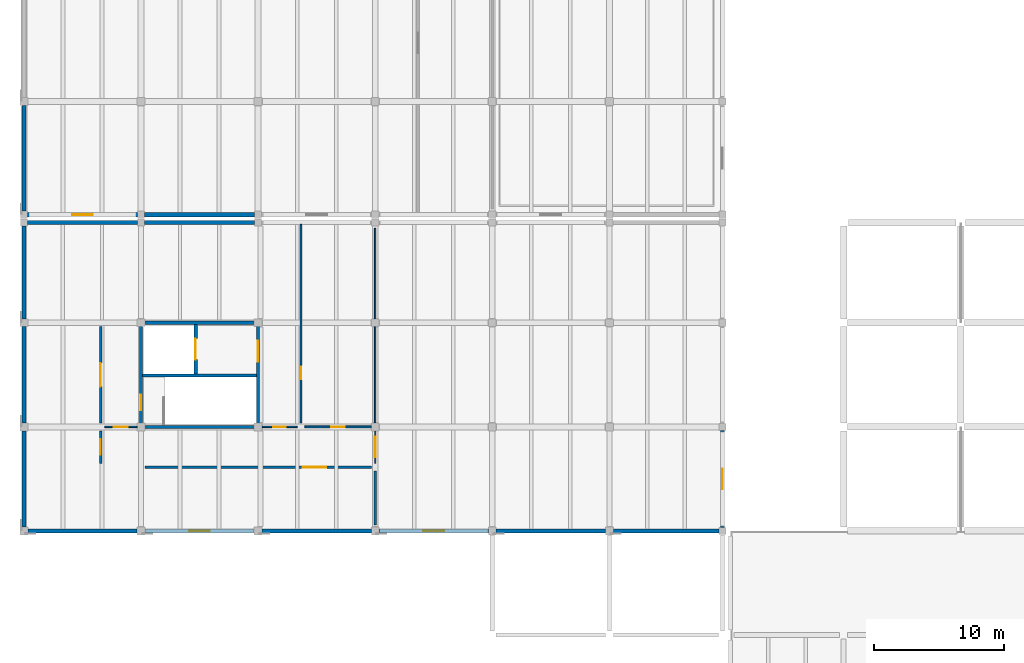
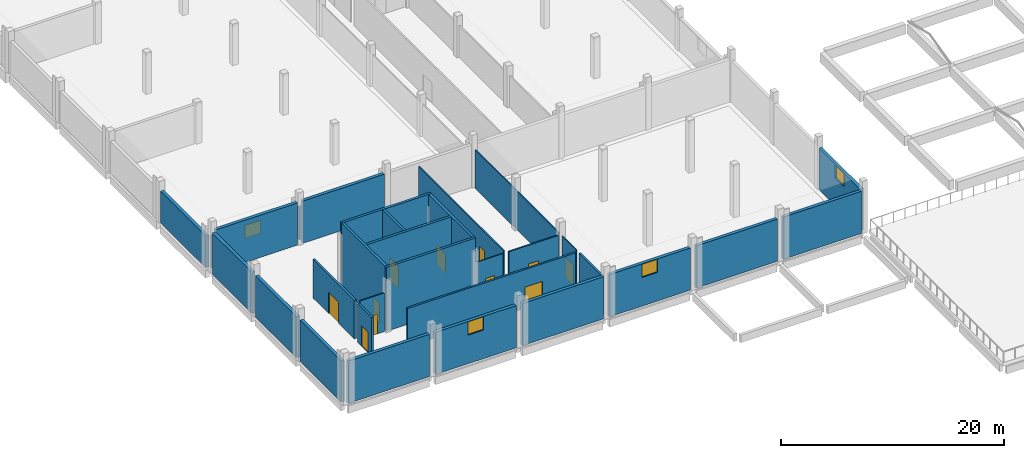
# One storey, part 33 of 63: 31 walls, 11 doors, 4 windows, 15 openings.
"""IFC4 building model written with IfcOpenShell, lengths in metres."""

from ifc_helpers import new_model, si_unit, direction, frame, frame_2d, origin, place, context, subcontext, project, spatial, rectangle, extrude, material, layer, layer_set, type_object, element, fill, save


model = new_model("IFC4")

# Units and contexts
model_context = context("Model", 3, precision=1e-05, world=origin(), true_north=direction((0.0, 1.0)))
body_context = subcontext(model_context, "Body", "Model", "MODEL_VIEW")
ifc_project = project(units=[si_unit("LENGTHUNIT", "METRE"), si_unit("AREAUNIT", "SQUARE_METRE"), si_unit("VOLUMEUNIT", "CUBIC_METRE"), si_unit("PLANEANGLEUNIT", "RADIAN"), si_unit("MASSUNIT", "GRAM", prefix="KILO")], contexts=[model_context])

# Site, building, storey
site_placement = place(None, origin())
site = spatial("IfcSite", under=ifc_project, at=site_placement, CompositionType="ELEMENT")
building_placement = place(site_placement, origin())
building = spatial("IfcBuilding", under=site, at=building_placement, Name="Zacnel Wholesale Market", CompositionType="ELEMENT")
storey_placement = place(building_placement, frame((0.0, 0.0, 11.199951171875)))
storey = spatial("IfcBuildingStorey", under=building, at=storey_placement, Name="L03", CompositionType="ELEMENT", Elevation=11.199951171875)

# Wall, opening, door
ifc_material_1 = material(Name="PIR insulated cold-store panel")
ifc_layer_1 = layer(ifc_material_1, 0.195068359375)
ifc_layer_set_1 = layer_set([ifc_layer_1], Name="PIR insulated cold-store panel")
wall_type_1 = type_object("IfcWallType", Name="WL-COLD-INT195", PredefinedType="STANDARD", material=ifc_layer_set_1)
wall_1_placement = place(storey_placement, frame((27.300048828125, 28.89990234375, 0.0), z_axis=(0.0, 0.0, 1.0), x_axis=(1.0, 0.0, 0.0)))
wall_1 = element("IfcWall", 1, at=wall_1_placement, inside=storey, type_object=wall_type_1, Name="Interior partition L03-0138", PredefinedType="STANDARD", context=body_context, shape_type="SweptSolid", body=[
    extrude(rectangle(XDim=17.39990234375, YDim=0.195068359375, at=frame_2d((8.699951171875, 0.0))), origin(), (0.0, 0.0, 1.0), 4.22998046875),
])
opening_1_placement = place(wall_1_placement, frame((12.14990234375, 0.0, 0.0)))
opening_1 = element("IfcOpeningElement", 2, at=opening_1_placement, cuts=wall_1, Name="Opening FD-03", PredefinedType="OPENING", context=body_context, shape_type="SweptSolid", body=[
    extrude(rectangle(XDim=1.800048828125, YDim=2.300048828125, at=frame_2d((0.89990234375, 1.14990234375))), frame((0.0, 0.107421875, 0.0), z_axis=(0.0, -1.0, 0.0), x_axis=(1.0, 0.0, 0.0)), (0.0, 0.0, 1.0), 0.215087890625),
])
ifc_material_2 = material(Name="Galvanized steel", Category="steel")
door_type_1 = type_object("IfcDoorType", Name="DR-FIRE-COMP-1800", OperationType="NOTDEFINED", PredefinedType="DOOR", material=ifc_material_2)
door_1_placement = place(opening_1_placement, origin())
door_1 = element("IfcDoor", 3, at=door_1_placement, inside=storey, type_object=door_type_1, Name="Interior door L03-0107", OperationType="SINGLE_SWING_LEFT", OverallHeight=2.300048828125, OverallWidth=1.800048828125, PredefinedType="DOOR", context=body_context, shape_type="SweptSolid", body=[
    extrude(rectangle(XDim=1.800048828125, YDim=2.300048828125, at=frame_2d((0.89990234375, 1.14990234375))), frame((0.0, 0.02490234375, 0.0), z_axis=(0.0, -1.0, 0.0), x_axis=(1.0, 0.0, 0.0)), (0.0, 0.0, 1.0), 0.050048828125),
])
fill(opening_1, door_1)

wall_2_placement = place(storey_placement, frame((23.89990234375, 29.199951171875, 0.0), z_axis=(0.0, 0.0, 1.0), x_axis=(0.0, 1.0, 0.0)))
wall_2 = element("IfcWall", 4, at=wall_2_placement, inside=storey, type_object=wall_type_1, Name="Interior partition L03-0142", PredefinedType="STANDARD", context=body_context, shape_type="SweptSolid", body=[
    extrude(rectangle(XDim=2.5, YDim=0.195068359375, at=frame_2d((1.25, 0.0))), origin(), (0.0, 0.0, 1.0), 4.22998046875),
])
opening_2_placement = place(wall_2_placement, frame((0.64990234375, 0.0, 0.0)))
opening_2 = element("IfcOpeningElement", 5, at=opening_2_placement, cuts=wall_2, Name="Opening FD-01", PredefinedType="OPENING", context=body_context, shape_type="SweptSolid", body=[
    extrude(rectangle(XDim=1.199951171875, YDim=2.199951171875, at=frame_2d((0.60009765625, 1.10009765625))), frame((0.0, 0.107421875, 0.0), z_axis=(0.0, -1.0, 0.0), x_axis=(1.0, 0.0, 0.0)), (0.0, 0.0, 1.0), 0.215087890625),
])
ifc_material_3 = material(Name="Galvanized steel", Category="steel")
door_type_2 = type_object("IfcDoorType", Name="DR-FIRE-STAIR-1200", OperationType="NOTDEFINED", PredefinedType="DOOR", material=ifc_material_3)
door_2_placement = place(opening_2_placement, origin())
door_2 = element("IfcDoor", 6, at=door_2_placement, inside=storey, type_object=door_type_2, Name="Interior door L03-0111", OperationType="SINGLE_SWING_LEFT", OverallHeight=2.199951171875, OverallWidth=1.199951171875, PredefinedType="DOOR", context=body_context, shape_type="SweptSolid", body=[
    extrude(rectangle(XDim=1.199951171875, YDim=2.199951171875, at=frame_2d((0.60009765625, 1.10009765625))), frame((0.0, 0.02490234375, 0.0), z_axis=(0.0, -1.0, 0.0), x_axis=(1.0, 0.0, 0.0)), (0.0, 0.0, 1.0), 0.050048828125),
])
fill(opening_2, door_2)

# Wall
wall_3_placement = place(storey_placement, frame((45.0, 24.449951171875, 0.0), z_axis=(0.0, 0.0, 1.0), x_axis=(0.0, 1.0, 0.0)))
element("IfcWall", 7, at=wall_3_placement, inside=storey, type_object=wall_type_1, Name="Interior partition L03-0144", PredefinedType="STANDARD", context=body_context, shape_type="SweptSolid", body=[
    extrude(rectangle(XDim=4.150146484375, YDim=0.195068359375, at=frame_2d((2.0751953125, 0.0))), origin(), (0.0, 0.0, 1.0), 4.22998046875),
])

# Wall, opening, door
ifc_material_4 = material(Name="PIR insulated cold-store panel")
ifc_layer_2 = layer(ifc_material_4, 0.2099609375)
ifc_layer_set_2 = layer_set([ifc_layer_2], Name="PIR insulated cold-store panel")
wall_type_2 = type_object("IfcWallType", Name="WL-COLD-INT210", PredefinedType="STANDARD", material=ifc_layer_set_2)
wall_4_placement = place(storey_placement, frame((23.89990234375, 32.300048828125, 0.0), z_axis=(0.0, 0.0, 1.0), x_axis=(0.0, 1.0, 0.0)))
wall_4 = element("IfcWall", 8, at=wall_4_placement, inside=storey, type_object=wall_type_2, Name="Interior partition L03-0145", PredefinedType="STANDARD", context=body_context, shape_type="SweptSolid", body=[
    extrude(rectangle(XDim=7.39990234375, YDim=0.2099609375, at=frame_2d((3.699951171875, 0.0))), origin(), (0.0, 0.0, 1.0), 4.22998046875),
])
opening_3_placement = place(wall_4_placement, frame((2.800048828125, 0.0, 0.0)))
opening_3 = element("IfcOpeningElement", 9, at=opening_3_placement, cuts=wall_4, Name="Opening FD-03", PredefinedType="OPENING", context=body_context, shape_type="SweptSolid", body=[
    extrude(rectangle(XDim=1.800048828125, YDim=2.300048828125, at=frame_2d((0.89990234375, 1.14990234375))), frame((0.0, 0.114990234375, 0.0), z_axis=(0.0, -1.0, 0.0), x_axis=(1.0, 0.0, 0.0)), (0.0, 0.0, 1.0), 0.22998046875),
])
door_3_placement = place(opening_3_placement, origin())
door_3 = element("IfcDoor", 10, at=door_3_placement, inside=storey, type_object=door_type_1, Name="Interior door L03-0113", OperationType="SINGLE_SWING_LEFT", OverallHeight=2.300048828125, OverallWidth=1.800048828125, PredefinedType="DOOR", context=body_context, shape_type="SweptSolid", body=[
    extrude(rectangle(XDim=1.800048828125, YDim=2.300048828125, at=frame_2d((0.89990234375, 1.14990234375))), frame((0.0, 0.02490234375, 0.0), z_axis=(0.0, -1.0, 0.0), x_axis=(1.0, 0.0, 0.0)), (0.0, 0.0, 1.0), 0.050048828125),
])
fill(opening_3, door_3)

# Walls
ifc_material_5 = material(Name="Concrete C40/50", Category="concrete")
ifc_layer_3 = layer(ifc_material_5, 0.25)
ifc_layer_set_3 = layer_set([ifc_layer_3], Name="Concrete C40/50")
wall_type_3 = type_object("IfcWallType", Name="WL-CORE-SW250", PredefinedType="SOLIDWALL", material=ifc_layer_set_3)
for number, where, z_axis, x_axis, name in (
    (11, (26.875, 32.0, 0.0), (0.0, 0.0, 1.0), (1.0, 0.0, 0.0), "Core C3 south shear wall L03"),
    (12, (26.875, 40.0, 0.0), (0.0, 0.0, 1.0), (1.0, 0.0, 0.0), "Core C3 north shear wall L03"),
):
    element("IfcWall", number, at=place(storey_placement, frame(where, z_axis=z_axis, x_axis=x_axis)), inside=storey, type_object=wall_type_3, Name=name, PredefinedType="SOLIDWALL", context=body_context, shape_type="SweptSolid", body=[
        extrude(rectangle(XDim=9.25, YDim=0.25, at=frame_2d((4.625, 0.0))), origin(), (0.0, 0.0, 1.0), 7.0),
    ])

# Wall, opening, door
wall_5_placement = place(storey_placement, frame((27.0, 32.125, 0.0), z_axis=(0.0, 0.0, 1.0), x_axis=(0.0, 1.0, 0.0)))
wall_5 = element("IfcWall", 13, at=wall_5_placement, inside=storey, type_object=wall_type_3, Name="Core C3 west shear wall L03", PredefinedType="SOLIDWALL", context=body_context, shape_type="SweptSolid", body=[
    extrude(rectangle(XDim=7.75, YDim=0.25, at=frame_2d((3.875, 0.0))), origin(), (0.0, 0.0, 1.0), 7.0),
])
opening_4_placement = place(wall_5_placement, frame((1.14990234375, 0.0, 0.0)))
opening_4 = element("IfcOpeningElement", 14, at=opening_4_placement, cuts=wall_5, Name="Opening FD-01", PredefinedType="OPENING", context=body_context, shape_type="SweptSolid", body=[
    extrude(rectangle(XDim=1.199951171875, YDim=2.199951171875, at=frame_2d((0.60009765625, 1.10009765625))), frame((0.0, 0.135009765625, 0.0), z_axis=(0.0, -1.0, 0.0), x_axis=(1.0, 0.0, 0.0)), (0.0, 0.0, 1.0), 0.27001953125),
])
door_4_placement = place(opening_4_placement, origin())
door_4 = element("IfcDoor", 15, at=door_4_placement, inside=storey, type_object=door_type_2, Name="Protected stair fire door C3 L03", OperationType="SINGLE_SWING_LEFT", OverallHeight=2.199951171875, OverallWidth=1.199951171875, PredefinedType="DOOR", context=body_context, shape_type="SweptSolid", body=[
    extrude(rectangle(XDim=1.199951171875, YDim=2.199951171875, at=frame_2d((0.60009765625, 1.10009765625))), frame((0.0, 0.02490234375, 0.0), z_axis=(0.0, -1.0, 0.0), x_axis=(1.0, 0.0, 0.0)), (0.0, 0.0, 1.0), 0.050048828125),
])
fill(opening_4, door_4)

wall_6_placement = place(storey_placement, frame((36.0, 32.125, 0.0), z_axis=(0.0, 0.0, 1.0), x_axis=(0.0, 1.0, 0.0)))
wall_6 = element("IfcWall", 16, at=wall_6_placement, inside=storey, type_object=wall_type_3, Name="Core C3 east shear wall L03", PredefinedType="SOLIDWALL", context=body_context, shape_type="SweptSolid", body=[
    extrude(rectangle(XDim=7.75, YDim=0.25, at=frame_2d((3.875, 0.0))), origin(), (0.0, 0.0, 1.0), 7.0),
])
opening_5_placement = place(wall_6_placement, frame((4.89990234375, 0.0, 0.0)))
opening_5 = element("IfcOpeningElement", 17, at=opening_5_placement, cuts=wall_6, Name="Opening FD-02", PredefinedType="OPENING", context=body_context, shape_type="SweptSolid", body=[
    extrude(rectangle(XDim=1.60009765625, YDim=2.199951171875, at=frame_2d((0.800048828125, 1.10009765625))), frame((0.0, 0.135009765625, 0.0), z_axis=(0.0, -1.0, 0.0), x_axis=(1.0, 0.0, 0.0)), (0.0, 0.0, 1.0), 0.27001953125),
])
ifc_material_6 = material(Name="Galvanized steel", Category="steel")
door_type_3 = type_object("IfcDoorType", Name="DR-FIRE-LOBBY-1600", OperationType="NOTDEFINED", PredefinedType="DOOR", material=ifc_material_6)
door_5_placement = place(opening_5_placement, origin())
door_5 = element("IfcDoor", 18, at=door_5_placement, inside=storey, type_object=door_type_3, Name="Core lift lobby fire door C3 L03", OperationType="SINGLE_SWING_RIGHT", OverallHeight=2.199951171875, OverallWidth=1.60009765625, PredefinedType="DOOR", context=body_context, shape_type="SweptSolid", body=[
    extrude(rectangle(XDim=1.60009765625, YDim=2.199951171875, at=frame_2d((0.800048828125, 1.10009765625))), frame((0.0, 0.02490234375, 0.0), z_axis=(0.0, -1.0, 0.0), x_axis=(1.0, 0.0, 0.0)), (0.0, 0.0, 1.0), 0.050048828125),
])
fill(opening_5, door_5)

# Wall
wall_7_placement = place(storey_placement, frame((27.125, 35.949951171875, 0.0), z_axis=(0.0, 0.0, 1.0), x_axis=(1.0, 0.0, 0.0)))
element("IfcWall", 19, at=wall_7_placement, inside=storey, type_object=wall_type_3, Name="Core C3 stair-shaft shear wall L03", PredefinedType="SOLIDWALL", context=body_context, shape_type="SweptSolid", body=[
    extrude(rectangle(XDim=8.75, YDim=0.25, at=frame_2d((4.375, 0.0))), origin(), (0.0, 0.0, 1.0), 7.0),
])

# Wall, opening, door
wall_8_placement = place(storey_placement, frame((31.199951171875, 36.074951171875, 0.0), z_axis=(0.0, 0.0, 1.0), x_axis=(0.0, 1.0, 0.0)))
wall_8 = element("IfcWall", 20, at=wall_8_placement, inside=storey, type_object=wall_type_3, Name="Core C3 lift shaft front wall L03", PredefinedType="SOLIDWALL", context=body_context, shape_type="SweptSolid", body=[
    extrude(rectangle(XDim=3.800048828125, YDim=0.25, at=frame_2d((1.89990234375, 0.0))), origin(), (0.0, 0.0, 1.0), 7.0),
])
opening_6_placement = place(wall_8_placement, frame((1.10009765625, 0.0, 0.0)))
opening_6 = element("IfcOpeningElement", 21, at=opening_6_placement, cuts=wall_8, Name="Opening LD-02", PredefinedType="OPENING", context=body_context, shape_type="SweptSolid", body=[
    extrude(rectangle(XDim=1.60009765625, YDim=2.39990234375, at=frame_2d((0.800048828125, 1.199951171875))), frame((0.0, 0.135009765625, 0.0), z_axis=(0.0, -1.0, 0.0), x_axis=(1.0, 0.0, 0.0)), (0.0, 0.0, 1.0), 0.27001953125),
])
ifc_material_7 = material(Name="Galvanized steel", Category="steel")
door_type_4 = type_object("IfcDoorType", Name="DR-LIFT-GOODS-1600", OperationType="NOTDEFINED", PredefinedType="DOOR", material=ifc_material_7)
door_6_placement = place(opening_6_placement, origin())
door_6 = element("IfcDoor", 22, at=door_6_placement, inside=storey, type_object=door_type_4, Name="Lift landing door LG-01 L03", OperationType="SLIDING_TO_LEFT", OverallHeight=2.39990234375, OverallWidth=1.60009765625, PredefinedType="DOOR", context=body_context, shape_type="SweptSolid", body=[
    extrude(rectangle(XDim=1.60009765625, YDim=2.39990234375, at=frame_2d((0.800048828125, 1.199951171875))), frame((0.0, 0.02490234375, 0.0), z_axis=(0.0, -1.0, 0.0), x_axis=(1.0, 0.0, 0.0)), (0.0, 0.0, 1.0), 0.050048828125),
])
fill(opening_6, door_6)

# Wall
ifc_material_8 = material(Name="Precast concrete C40/50 (insulated sandwich panel)", Category="concrete")
ifc_layer_4 = layer(ifc_material_8, 0.320068359375)
ifc_layer_set_4 = layer_set([ifc_layer_4], Name="Precast concrete C40/50 (insulated sandwich panel)")
wall_type_4 = type_object("IfcWallType", Name="WL-EXT-COLD-320", PredefinedType="SOLIDWALL", material=ifc_layer_set_4)
wall_9_placement = place(storey_placement, frame((18.300048828125, 24.0, 0.0), z_axis=(0.0, 0.0, 1.0), x_axis=(1.0, 0.0, 0.0)))
element("IfcWall", 23, at=wall_9_placement, inside=storey, type_object=wall_type_4, Name="Exterior wall L03-0309", PredefinedType="SOLIDWALL", context=body_context, shape_type="SweptSolid", body=[
    extrude(rectangle(XDim=8.39990234375, YDim=0.320068359375, at=frame_2d((4.199951171875, 0.0))), origin(), (0.0, 0.0, 1.0), 4.6201171875),
])

# Wall, opening, window
wall_10_placement = place(storey_placement, frame((27.300048828125, 24.0, 0.0), z_axis=(0.0, 0.0, 1.0), x_axis=(1.0, 0.0, 0.0)))
wall_10 = element("IfcWall", 24, at=wall_10_placement, inside=storey, type_object=wall_type_4, Name="Exterior wall L03-0310", PredefinedType="SOLIDWALL", context=body_context, shape_type="SweptSolid", body=[
    extrude(rectangle(XDim=8.39990234375, YDim=0.320068359375, at=frame_2d((4.199951171875, 0.0))), origin(), (0.0, 0.0, 1.0), 4.6201171875),
])
opening_7_placement = place(wall_10_placement, frame((3.39990234375, 0.0, 3.1298828125)))
opening_7 = element("IfcOpeningElement", 25, at=opening_7_placement, cuts=wall_10, Name="Opening W-06", PredefinedType="OPENING", context=body_context, shape_type="SweptSolid", body=[
    extrude(rectangle(XDim=1.60009765625, YDim=1.449951171875, at=frame_2d((0.800048828125, 0.72509765625))), frame((0.0, 0.169921875, 0.0), z_axis=(0.0, -1.0, 0.0), x_axis=(1.0, 0.0, 0.0)), (0.0, 0.0, 1.0), 0.340087890625),
])
ifc_material_9 = material(Name="Laminated hurricane-impact low-E insulated glass", Category="glass")
window_type = type_object("IfcWindowType", Name="WIN-HIG-1600X1450", PartitioningType="DOUBLE_PANEL_HORIZONTAL", PredefinedType="WINDOW", material=ifc_material_9)
window_1_placement = place(opening_7_placement, origin())
window_1 = element("IfcWindow", 26, at=window_1_placement, inside=storey, type_object=window_type, Name="Window L03-0353", OverallHeight=1.449951171875, OverallWidth=1.60009765625, PartitioningType="DOUBLE_PANEL_HORIZONTAL", PredefinedType="WINDOW", context=body_context, shape_type="SweptSolid", body=[
    extrude(rectangle(XDim=1.60009765625, YDim=1.449951171875, at=frame_2d((0.800048828125, 0.72509765625))), frame((0.0, 0.030029296875, 0.0), z_axis=(0.0, -1.0, 0.0), x_axis=(1.0, 0.0, 0.0)), (0.0, 0.0, 1.0), 0.06005859375),
])
fill(opening_7, window_1)

# Wall
wall_11_placement = place(storey_placement, frame((36.300048828125, 24.0, 0.0), z_axis=(0.0, 0.0, 1.0), x_axis=(1.0, 0.0, 0.0)))
element("IfcWall", 27, at=wall_11_placement, inside=storey, type_object=wall_type_4, Name="Exterior wall L03-0311", PredefinedType="SOLIDWALL", context=body_context, shape_type="SweptSolid", body=[
    extrude(rectangle(XDim=8.39990234375, YDim=0.320068359375, at=frame_2d((4.199951171875, 0.0))), origin(), (0.0, 0.0, 1.0), 4.6201171875),
])

# Wall, opening, window
wall_12_placement = place(storey_placement, frame((45.300048828125, 24.0, 0.0), z_axis=(0.0, 0.0, 1.0), x_axis=(1.0, 0.0, 0.0)))
wall_12 = element("IfcWall", 28, at=wall_12_placement, inside=storey, type_object=wall_type_4, Name="Exterior wall L03-0312", PredefinedType="SOLIDWALL", context=body_context, shape_type="SweptSolid", body=[
    extrude(rectangle(XDim=8.39990234375, YDim=0.320068359375, at=frame_2d((4.199951171875, 0.0))), origin(), (0.0, 0.0, 1.0), 4.6201171875),
])
opening_8_placement = place(wall_12_placement, frame((3.39990234375, 0.0, 3.1298828125)))
opening_8 = element("IfcOpeningElement", 29, at=opening_8_placement, cuts=wall_12, Name="Opening W-06", PredefinedType="OPENING", context=body_context, shape_type="SweptSolid", body=[
    extrude(rectangle(XDim=1.60009765625, YDim=1.449951171875, at=frame_2d((0.800048828125, 0.72509765625))), frame((0.0, 0.169921875, 0.0), z_axis=(0.0, -1.0, 0.0), x_axis=(1.0, 0.0, 0.0)), (0.0, 0.0, 1.0), 0.340087890625),
])
window_2_placement = place(opening_8_placement, origin())
window_2 = element("IfcWindow", 30, at=window_2_placement, inside=storey, type_object=window_type, Name="Window L03-0354", OverallHeight=1.449951171875, OverallWidth=1.60009765625, PartitioningType="DOUBLE_PANEL_HORIZONTAL", PredefinedType="WINDOW", context=body_context, shape_type="SweptSolid", body=[
    extrude(rectangle(XDim=1.60009765625, YDim=1.449951171875, at=frame_2d((0.800048828125, 0.72509765625))), frame((0.0, 0.030029296875, 0.0), z_axis=(0.0, -1.0, 0.0), x_axis=(1.0, 0.0, 0.0)), (0.0, 0.0, 1.0), 0.06005859375),
])
fill(opening_8, window_2)

# Walls
wall_13_placement = place(storey_placement, frame((54.300048828125, 24.0, 0.0), z_axis=(0.0, 0.0, 1.0), x_axis=(1.0, 0.0, 0.0)))
element("IfcWall", 31, at=wall_13_placement, inside=storey, type_object=wall_type_4, Name="Exterior wall L03-0313", PredefinedType="SOLIDWALL", context=body_context, shape_type="SweptSolid", body=[
    extrude(rectangle(XDim=8.39990234375, YDim=0.320068359375, at=frame_2d((4.199951171875, 0.0))), origin(), (0.0, 0.0, 1.0), 4.6201171875),
])
wall_14_placement = place(storey_placement, frame((63.300048828125, 24.0, 0.0), z_axis=(0.0, 0.0, 1.0), x_axis=(1.0, 0.0, 0.0)))
element("IfcWall", 32, at=wall_14_placement, inside=storey, type_object=wall_type_4, Name="Exterior wall L03-0314", PredefinedType="SOLIDWALL", context=body_context, shape_type="SweptSolid", body=[
    extrude(rectangle(XDim=8.125, YDim=0.320068359375, at=frame_2d((4.0625, 0.0))), origin(), (0.0, 0.0, 1.0), 4.6201171875),
])
for number, where, z_axis, x_axis, name in (
    (33, (18.27490234375, 47.699951171875, 0.0), (0.0, 0.0, 1.0), (1.0, 0.0, 0.0), "Exterior wall L03-0315"),
    (34, (27.27490234375, 47.699951171875, 0.0), (0.0, 0.0, 1.0), (1.0, 0.0, 0.0), "Exterior wall L03-0316"),
):
    element("IfcWall", number, at=place(storey_placement, frame(where, z_axis=z_axis, x_axis=x_axis)), inside=storey, type_object=wall_type_4, Name=name, PredefinedType="SOLIDWALL", context=body_context, shape_type="SweptSolid", body=[
        extrude(rectangle(XDim=8.4501953125, YDim=0.320068359375, at=frame_2d((4.22509765625, 0.0))), origin(), (0.0, 0.0, 1.0), 4.6201171875),
    ])
for number, where, z_axis, x_axis, name in (
    (35, (18.0, 24.300048828125, 0.0), (0.0, 0.0, 1.0), (0.0, 1.0, 0.0), "Exterior wall L03-0321"),
    (36, (18.0, 32.300048828125, 0.0), (0.0, 0.0, 1.0), (0.0, 1.0, 0.0), "Exterior wall L03-0322"),
):
    element("IfcWall", number, at=place(storey_placement, frame(where, z_axis=z_axis, x_axis=x_axis)), inside=storey, type_object=wall_type_4, Name=name, PredefinedType="SOLIDWALL", context=body_context, shape_type="SweptSolid", body=[
        extrude(rectangle(XDim=7.39990234375, YDim=0.320068359375, at=frame_2d((3.699951171875, 0.0))), origin(), (0.0, 0.0, 1.0), 4.52001953125),
    ])
wall_15_placement = place(storey_placement, frame((18.0, 40.300048828125, 0.0), z_axis=(0.0, 0.0, 1.0), x_axis=(0.0, 1.0, 0.0)))
element("IfcWall", 37, at=wall_15_placement, inside=storey, type_object=wall_type_4, Name="Exterior wall L03-0323", PredefinedType="SOLIDWALL", context=body_context, shape_type="SweptSolid", body=[
    extrude(rectangle(XDim=7.125, YDim=0.320068359375, at=frame_2d((3.5625, 0.0))), origin(), (0.0, 0.0, 1.0), 4.52001953125),
])

# Wall, opening, window
wall_16_placement = place(storey_placement, frame((71.699951171875, 24.27490234375, 0.0), z_axis=(0.0, 0.0, 1.0), x_axis=(0.0, 1.0, 0.0)))
wall_16 = element("IfcWall", 38, at=wall_16_placement, inside=storey, type_object=wall_type_4, Name="Exterior wall L03-0324", PredefinedType="SOLIDWALL", context=body_context, shape_type="SweptSolid", body=[
    extrude(rectangle(XDim=7.4501953125, YDim=0.320068359375, at=frame_2d((3.72509765625, 0.0))), origin(), (0.0, 0.0, 1.0), 4.52001953125),
])
opening_9_placement = place(wall_16_placement, frame((2.925048828125, 0.0, 3.030029296875)))
opening_9 = element("IfcOpeningElement", 39, at=opening_9_placement, cuts=wall_16, Name="Opening W-06", PredefinedType="OPENING", context=body_context, shape_type="SweptSolid", body=[
    extrude(rectangle(XDim=1.60009765625, YDim=1.449951171875, at=frame_2d((0.800048828125, 0.72509765625))), frame((0.0, 0.169921875, 0.0), z_axis=(0.0, -1.0, 0.0), x_axis=(1.0, 0.0, 0.0)), (0.0, 0.0, 1.0), 0.340087890625),
])
window_3_placement = place(opening_9_placement, origin())
window_3 = element("IfcWindow", 40, at=window_3_placement, inside=storey, type_object=window_type, Name="Window L03-0355", OverallHeight=1.449951171875, OverallWidth=1.60009765625, PartitioningType="DOUBLE_PANEL_HORIZONTAL", PredefinedType="WINDOW", context=body_context, shape_type="SweptSolid", body=[
    extrude(rectangle(XDim=1.60009765625, YDim=1.449951171875, at=frame_2d((0.800048828125, 0.72509765625))), frame((0.0, 0.030029296875, 0.0), z_axis=(0.0, -1.0, 0.0), x_axis=(1.0, 0.0, 0.0)), (0.0, 0.0, 1.0), 0.06005859375),
])
fill(opening_9, window_3)

wall_17_placement = place(storey_placement, frame((18.27490234375, 48.300048828125, 0.0), z_axis=(0.0, 0.0, 1.0), x_axis=(1.0, 0.0, 0.0)))
wall_17 = element("IfcWall", 41, at=wall_17_placement, inside=storey, type_object=wall_type_4, Name="Exterior wall L03-0327", PredefinedType="SOLIDWALL", context=body_context, shape_type="SweptSolid", body=[
    extrude(rectangle(XDim=8.4501953125, YDim=0.320068359375, at=frame_2d((4.22509765625, 0.0))), origin(), (0.0, 0.0, 1.0), 3.52001953125),
])
opening_10_placement = place(wall_17_placement, frame((3.425048828125, 0.0, 2.030029296875)))
opening_10 = element("IfcOpeningElement", 42, at=opening_10_placement, cuts=wall_17, Name="Opening W-06", PredefinedType="OPENING", context=body_context, shape_type="SweptSolid", body=[
    extrude(rectangle(XDim=1.60009765625, YDim=1.449951171875, at=frame_2d((0.800048828125, 0.72509765625))), frame((0.0, 0.169921875, 0.0), z_axis=(0.0, -1.0, 0.0), x_axis=(1.0, 0.0, 0.0)), (0.0, 0.0, 1.0), 0.340087890625),
])
window_4_placement = place(opening_10_placement, origin())
window_4 = element("IfcWindow", 43, at=window_4_placement, inside=storey, type_object=window_type, Name="Window L03-0356", OverallHeight=1.449951171875, OverallWidth=1.60009765625, PartitioningType="DOUBLE_PANEL_HORIZONTAL", PredefinedType="WINDOW", context=body_context, shape_type="SweptSolid", body=[
    extrude(rectangle(XDim=1.60009765625, YDim=1.449951171875, at=frame_2d((0.800048828125, 0.72509765625))), frame((0.0, 0.030029296875, 0.0), z_axis=(0.0, -1.0, 0.0), x_axis=(1.0, 0.0, 0.0)), (0.0, 0.0, 1.0), 0.06005859375),
])
fill(opening_10, window_4)

# Walls
wall_18_placement = place(storey_placement, frame((27.27490234375, 48.300048828125, 0.0), z_axis=(0.0, 0.0, 1.0), x_axis=(1.0, 0.0, 0.0)))
element("IfcWall", 44, at=wall_18_placement, inside=storey, type_object=wall_type_4, Name="Exterior wall L03-0328", PredefinedType="SOLIDWALL", context=body_context, shape_type="SweptSolid", body=[
    extrude(rectangle(XDim=8.4501953125, YDim=0.320068359375, at=frame_2d((4.22509765625, 0.0))), origin(), (0.0, 0.0, 1.0), 3.52001953125),
])
wall_19_placement = place(storey_placement, frame((18.0, 48.574951171875, 0.0), z_axis=(0.0, 0.0, 1.0), x_axis=(0.0, 1.0, 0.0)))
element("IfcWall", 45, at=wall_19_placement, inside=storey, type_object=wall_type_4, Name="Exterior wall L03-0339", PredefinedType="SOLIDWALL", context=body_context, shape_type="SweptSolid", body=[
    extrude(rectangle(XDim=8.125, YDim=0.320068359375, at=frame_2d((4.0625, 0.0))), origin(), (0.0, 0.0, 1.0), 3.469970703125),
])

# Wall, opening, door
ifc_material_10 = material(Name="Moisture-resistant gypsum board partition")
ifc_layer_5 = layer(ifc_material_10, 0.10009765625)
ifc_layer_set_5 = layer_set([ifc_layer_5], Name="Moisture-resistant gypsum board partition")
wall_type_5 = type_object("IfcWallType", Name="WL-PART-GYP100", PredefinedType="PARTITIONING", material=ifc_layer_set_5)
wall_20_placement = place(storey_placement, frame((36.300048828125, 32.0, 0.0), z_axis=(0.0, 0.0, 1.0), x_axis=(1.0, 0.0, 0.0)))
wall_20 = element("IfcWall", 46, at=wall_20_placement, inside=storey, type_object=wall_type_5, Name="Interior partition L03-0140", PredefinedType="PARTITIONING", context=body_context, shape_type="SweptSolid", body=[
    extrude(rectangle(XDim=2.699951171875, YDim=0.10009765625, at=frame_2d((1.35009765625, 0.0))), origin(), (0.0, 0.0, 1.0), 4.22998046875),
])
opening_11_placement = place(wall_20_placement, frame((0.8798828125, 0.0, 0.0)))
opening_11 = element("IfcOpeningElement", 47, at=opening_11_placement, cuts=wall_20, Name="Opening ID-11", PredefinedType="OPENING", context=body_context, shape_type="SweptSolid", body=[
    extrude(rectangle(XDim=0.93994140625, YDim=2.139892578125, at=frame_2d((0.469970703125, 1.06982421875))), frame((0.0, 0.06005859375, 0.0), z_axis=(0.0, -1.0, 0.0), x_axis=(1.0, 0.0, 0.0)), (0.0, 0.0, 1.0), 0.1201171875),
])
ifc_material_11 = material(Name="Solid-core tropical hardwood door", Category="wood")
door_type_5 = type_object("IfcDoorType", Name="DR-OFF-SGL-940", OperationType="NOTDEFINED", PredefinedType="DOOR", material=ifc_material_11)
door_7_placement = place(opening_11_placement, origin())
door_7 = element("IfcDoor", 48, at=door_7_placement, inside=storey, type_object=door_type_5, Name="Interior door L03-0109", OperationType="SINGLE_SWING_LEFT", OverallHeight=2.139892578125, OverallWidth=0.93994140625, PredefinedType="DOOR", context=body_context, shape_type="SweptSolid", body=[
    extrude(rectangle(XDim=0.93994140625, YDim=2.139892578125, at=frame_2d((0.469970703125, 1.06982421875))), frame((0.0, 0.02490234375, 0.0), z_axis=(0.0, -1.0, 0.0), x_axis=(1.0, 0.0, 0.0)), (0.0, 0.0, 1.0), 0.050048828125),
])
fill(opening_11, door_7)

ifc_material_12 = material(Name="Moisture-resistant gypsum board partition")
ifc_layer_6 = layer(ifc_material_12, 0.110107421875)
ifc_layer_set_6 = layer_set([ifc_layer_6], Name="Moisture-resistant gypsum board partition")
wall_type_6 = type_object("IfcWallType", Name="WL-PART-GYP110", PredefinedType="PARTITIONING", material=ifc_layer_set_6)
wall_21_placement = place(storey_placement, frame((24.199951171875, 32.0, 0.0), z_axis=(0.0, 0.0, 1.0), x_axis=(1.0, 0.0, 0.0)))
wall_21 = element("IfcWall", 49, at=wall_21_placement, inside=storey, type_object=wall_type_6, Name="Interior partition L03-0139", PredefinedType="PARTITIONING", context=body_context, shape_type="SweptSolid", body=[
    extrude(rectangle(XDim=2.5, YDim=0.110107421875, at=frame_2d((1.25, 0.0))), origin(), (0.0, 0.0, 1.0), 4.22998046875),
])
opening_12_placement = place(wall_21_placement, frame((0.7099609375, 0.0, 0.0)))
opening_12 = element("IfcOpeningElement", 50, at=opening_12_placement, cuts=wall_21, Name="Opening ID-10", PredefinedType="OPENING", context=body_context, shape_type="SweptSolid", body=[
    extrude(rectangle(XDim=1.080078125, YDim=2.14990234375, at=frame_2d((0.5400390625, 1.074951171875))), frame((0.0, 0.06494140625, 0.0), z_axis=(0.0, -1.0, 0.0), x_axis=(1.0, 0.0, 0.0)), (0.0, 0.0, 1.0), 0.130126953125),
])
ifc_material_13 = material(Name="Galvanized steel", Category="steel")
door_type_6 = type_object("IfcDoorType", Name="DR-STR-SGL-1080", OperationType="NOTDEFINED", PredefinedType="DOOR", material=ifc_material_13)
door_8_placement = place(opening_12_placement, origin())
door_8 = element("IfcDoor", 51, at=door_8_placement, inside=storey, type_object=door_type_6, Name="Interior door L03-0108", OperationType="SINGLE_SWING_RIGHT", OverallHeight=2.14990234375, OverallWidth=1.080078125, PredefinedType="DOOR", context=body_context, shape_type="SweptSolid", body=[
    extrude(rectangle(XDim=1.080078125, YDim=2.14990234375, at=frame_2d((0.5400390625, 1.074951171875))), frame((0.0, 0.02490234375, 0.0), z_axis=(0.0, -1.0, 0.0), x_axis=(1.0, 0.0, 0.0)), (0.0, 0.0, 1.0), 0.050048828125),
])
fill(opening_12, door_8)

wall_22_placement = place(storey_placement, frame((45.0, 29.199951171875, 0.0), z_axis=(0.0, 0.0, 1.0), x_axis=(0.0, 1.0, 0.0)))
wall_22 = element("IfcWall", 52, at=wall_22_placement, inside=storey, type_object=wall_type_6, Name="Interior partition L03-0143", PredefinedType="PARTITIONING", context=body_context, shape_type="SweptSolid", body=[
    extrude(rectangle(XDim=2.5, YDim=0.110107421875, at=frame_2d((1.25, 0.0))), origin(), (0.0, 0.0, 1.0), 4.22998046875),
])
opening_13_placement = place(wall_22_placement, frame((0.469970703125, 0.0, 0.0)))
opening_13 = element("IfcOpeningElement", 53, at=opening_13_placement, cuts=wall_22, Name="Opening ID-14", PredefinedType="OPENING", context=body_context, shape_type="SweptSolid", body=[
    extrude(rectangle(XDim=1.56005859375, YDim=2.239990234375, at=frame_2d((0.780029296875, 1.1201171875))), frame((0.0, 0.06494140625, 0.0), z_axis=(0.0, -1.0, 0.0), x_axis=(1.0, 0.0, 0.0)), (0.0, 0.0, 1.0), 0.130126953125),
])
ifc_material_14 = material(Name="Solid-core tropical hardwood door", Category="wood")
door_type_7 = type_object("IfcDoorType", Name="DR-LAB-DBL-1560", OperationType="NOTDEFINED", PredefinedType="DOOR", material=ifc_material_14)
door_9_placement = place(opening_13_placement, origin())
door_9 = element("IfcDoor", 54, at=door_9_placement, inside=storey, type_object=door_type_7, Name="Interior door L03-0112", OperationType="SINGLE_SWING_RIGHT", OverallHeight=2.239990234375, OverallWidth=1.56005859375, PredefinedType="DOOR", context=body_context, shape_type="SweptSolid", body=[
    extrude(rectangle(XDim=1.56005859375, YDim=2.239990234375, at=frame_2d((0.780029296875, 1.1201171875))), frame((0.0, 0.02490234375, 0.0), z_axis=(0.0, -1.0, 0.0), x_axis=(1.0, 0.0, 0.0)), (0.0, 0.0, 1.0), 0.050048828125),
])
fill(opening_13, door_9)

# Wall
wall_23_placement = place(storey_placement, frame((45.0, 32.300048828125, 0.0), z_axis=(0.0, 0.0, 1.0), x_axis=(0.0, 1.0, 0.0)))
element("IfcWall", 55, at=wall_23_placement, inside=storey, type_object=wall_type_6, Name="Interior partition L03-0147", PredefinedType="PARTITIONING", context=body_context, shape_type="SweptSolid", body=[
    extrude(rectangle(XDim=14.949951171875, YDim=0.110107421875, at=frame_2d((7.47509765625, 0.0))), origin(), (0.0, 0.0, 1.0), 4.22998046875),
])

# Wall, opening, door
ifc_material_15 = material(Name="Moisture-resistant gypsum board partition")
ifc_layer_7 = layer(ifc_material_15, 0.125)
ifc_layer_set_7 = layer_set([ifc_layer_7], Name="Moisture-resistant gypsum board partition")
wall_type_7 = type_object("IfcWallType", Name="WL-PART-GYP125", PredefinedType="PARTITIONING", material=ifc_layer_set_7)
wall_24_placement = place(storey_placement, frame((39.300048828125, 32.300048828125, 0.0), z_axis=(0.0, 0.0, 1.0), x_axis=(0.0, 1.0, 0.0)))
wall_24 = element("IfcWall", 56, at=wall_24_placement, inside=storey, type_object=wall_type_7, Name="Interior partition L03-0146", PredefinedType="PARTITIONING", context=body_context, shape_type="SweptSolid", body=[
    extrude(rectangle(XDim=15.260009765625, YDim=0.125, at=frame_2d((7.6298828125, 0.0))), origin(), (0.0, 0.0, 1.0), 4.22998046875),
])
opening_14_placement = place(wall_24_placement, frame((3.3798828125, 0.0, 0.0)))
opening_14 = element("IfcOpeningElement", 57, at=opening_14_placement, cuts=wall_24, Name="Opening ID-11", PredefinedType="OPENING", context=body_context, shape_type="SweptSolid", body=[
    extrude(rectangle(XDim=0.93994140625, YDim=2.139892578125, at=frame_2d((0.469970703125, 1.06982421875))), frame((0.0, 0.072509765625, 0.0), z_axis=(0.0, -1.0, 0.0), x_axis=(1.0, 0.0, 0.0)), (0.0, 0.0, 1.0), 0.14501953125),
])
door_10_placement = place(opening_14_placement, origin())
door_10 = element("IfcDoor", 58, at=door_10_placement, inside=storey, type_object=door_type_5, Name="Interior door L03-0114", OperationType="SINGLE_SWING_RIGHT", OverallHeight=2.139892578125, OverallWidth=0.93994140625, PredefinedType="DOOR", context=body_context, shape_type="SweptSolid", body=[
    extrude(rectangle(XDim=0.93994140625, YDim=2.139892578125, at=frame_2d((0.469970703125, 1.06982421875))), frame((0.0, 0.02490234375, 0.0), z_axis=(0.0, -1.0, 0.0), x_axis=(1.0, 0.0, 0.0)), (0.0, 0.0, 1.0), 0.050048828125),
])
fill(opening_14, door_10)

ifc_material_16 = material(Name="Moisture-resistant gypsum board partition")
ifc_layer_8 = layer(ifc_material_16, 0.139892578125)
ifc_layer_set_8 = layer_set([ifc_layer_8], Name="Moisture-resistant gypsum board partition")
wall_type_8 = type_object("IfcWallType", Name="WL-PART-GYP140", PredefinedType="PARTITIONING", material=ifc_layer_set_8)
wall_25_placement = place(storey_placement, frame((39.60009765625, 32.0, 0.0), z_axis=(0.0, 0.0, 1.0), x_axis=(1.0, 0.0, 0.0)))
wall_25 = element("IfcWall", 59, at=wall_25_placement, inside=storey, type_object=wall_type_8, Name="Interior partition L03-0141", PredefinedType="PARTITIONING", context=body_context, shape_type="SweptSolid", body=[
    extrude(rectangle(XDim=5.099853515625, YDim=0.139892578125, at=frame_2d((2.5498046875, 0.0))), origin(), (0.0, 0.0, 1.0), 4.22998046875),
])
opening_15_placement = place(wall_25_placement, frame((2.0400390625, 0.0, 0.0)))
opening_15 = element("IfcOpeningElement", 60, at=opening_15_placement, cuts=wall_25, Name="Opening ID-12", PredefinedType="OPENING", context=body_context, shape_type="SweptSolid", body=[
    extrude(rectangle(XDim=1.02001953125, YDim=2.179931640625, at=frame_2d((0.510009765625, 1.08984375))), frame((0.0, 0.079833984375, 0.0), z_axis=(0.0, -1.0, 0.0), x_axis=(1.0, 0.0, 0.0)), (0.0, 0.0, 1.0), 0.159912109375),
])
ifc_material_17 = material(Name="Solid-core tropical hardwood door", Category="wood")
door_type_8 = type_object("IfcDoorType", Name="DR-OFF-SGL-1020", OperationType="NOTDEFINED", PredefinedType="DOOR", material=ifc_material_17)
door_11_placement = place(opening_15_placement, origin())
door_11 = element("IfcDoor", 61, at=door_11_placement, inside=storey, type_object=door_type_8, Name="Interior door L03-0110", OperationType="SINGLE_SWING_RIGHT", OverallHeight=2.179931640625, OverallWidth=1.02001953125, PredefinedType="DOOR", context=body_context, shape_type="SweptSolid", body=[
    extrude(rectangle(XDim=1.02001953125, YDim=2.179931640625, at=frame_2d((0.510009765625, 1.08984375))), frame((0.0, 0.02490234375, 0.0), z_axis=(0.0, -1.0, 0.0), x_axis=(1.0, 0.0, 0.0)), (0.0, 0.0, 1.0), 0.050048828125),
])
fill(opening_15, door_11)

save(model, "model.ifc")
